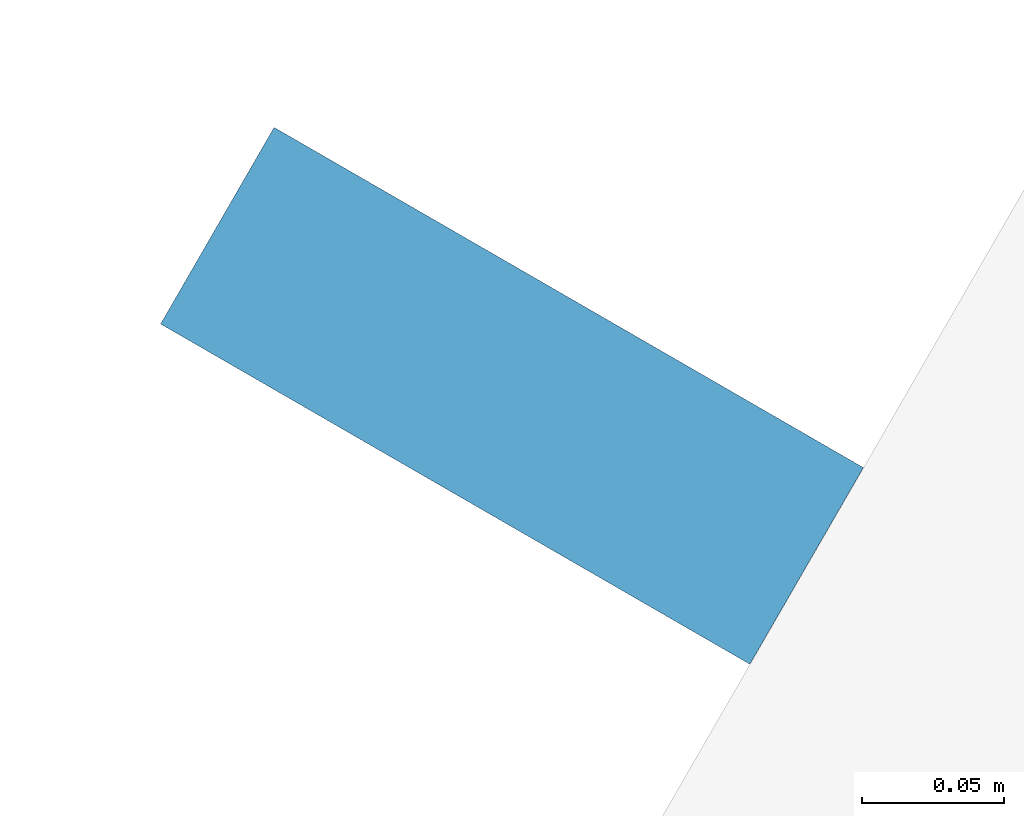
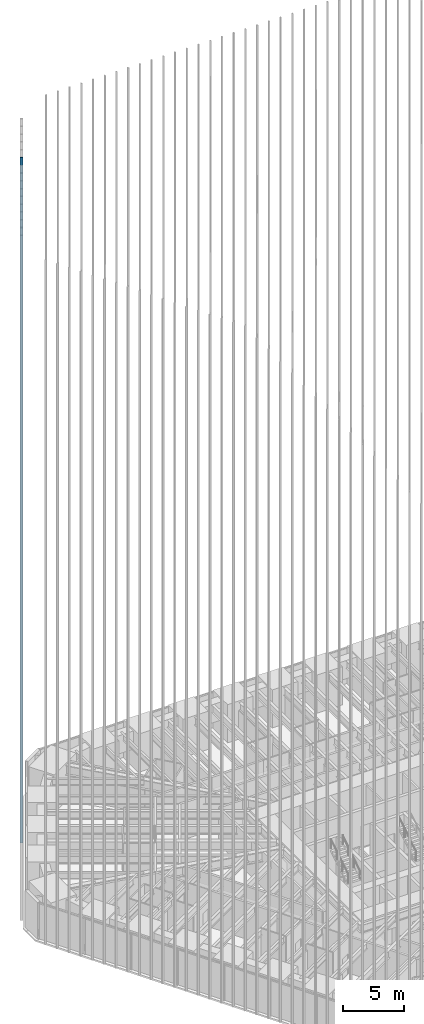
# One storey, part 152 of 256: 1 member, 1 element without a shape of its own.
"""IFC4 building model written with IfcOpenShell, lengths in metres."""

from ifc_helpers import new_model, si_unit, direction, frame, origin, origin_2d, place, context, subcontext, project, spatial, rectangle, extrude, material, material_profile, profile_set, type_object, element, aggregate, save


model = new_model("IFC4")

# Units and contexts
model_context = context("Model", 3, precision=1e-05, world=origin(), true_north=direction((0.0, 1.0)))
body_context = subcontext(model_context, "Body", "Model", "MODEL_VIEW")
ifc_project = project(units=[si_unit("LENGTHUNIT", "METRE"), si_unit("AREAUNIT", "SQUARE_METRE"), si_unit("VOLUMEUNIT", "CUBIC_METRE"), si_unit("PLANEANGLEUNIT", "RADIAN"), si_unit("MASSUNIT", "GRAM", prefix="KILO")], contexts=[model_context])

# Site, building, storey
site_placement = place(None, origin())
site = spatial("IfcSite", under=ifc_project, at=site_placement, CompositionType="ELEMENT")
building_placement = place(site_placement, origin())
building = spatial("IfcBuilding", under=site, at=building_placement, Name="Sandreach Pilgrim Tower", CompositionType="ELEMENT")
storey_placement = place(building_placement, frame((0.0, 0.0, 23.0)))
storey = spatial("IfcBuildingStorey", under=building, at=storey_placement, Name="L04", CompositionType="ELEMENT", Elevation=23.0)

# Curtain wall, member
ifc_material_1 = material(Name="Aluminium framed curtain wall", Category="aluminium")
curtain_wall_type = type_object("IfcCurtainWallType", Name="Hostel tower curtain wall", PredefinedType="NOTDEFINED", material=ifc_material_1)
curtain_wall_placement = place(storey_placement, origin())
curtain_wall = element("IfcCurtainWall", 1, at=curtain_wall_placement, inside=storey, type_object=curtain_wall_type, Name="CW-1 L04 NW", PredefinedType="NOTDEFINED")
ifc_material_2 = material(Name="Extruded terracotta on aluminium core", Category="masonry")
ifc_material_profile = material_profile(ifc_material_2, rectangle(XDim=0.080078125, YDim=0.239990234375, at=origin_2d()), Name="TBW 80X240")
ifc_profile_set = profile_set([ifc_material_profile], Name="Extruded terracotta on aluminium core")
member_type = type_object("IfcMemberType", Name="Terracotta baguette west", PredefinedType="USERDEFINED", material=ifc_profile_set)
member_placement = place(storey_placement, frame((-24.969482421875, 17.613525390625, 0.0), z_axis=(0.0, 0.0, 1.0), x_axis=(0.5, 0.866025403784, 0.0)))
member = element("IfcMember", 2, at=member_placement, type_object=member_type, Name="Baguette Z1 NW11", ObjectType="BAGUETTE", PredefinedType="USERDEFINED", context=body_context, shape_type="SweptSolid", body=[
    extrude(rectangle(XDim=0.080078125, YDim=0.239990234375, at=origin_2d()), origin(), (0.0, 0.0, 1.0), 68.239990234375),
])
aggregate(curtain_wall, [member])

save(model, "model.ifc")
